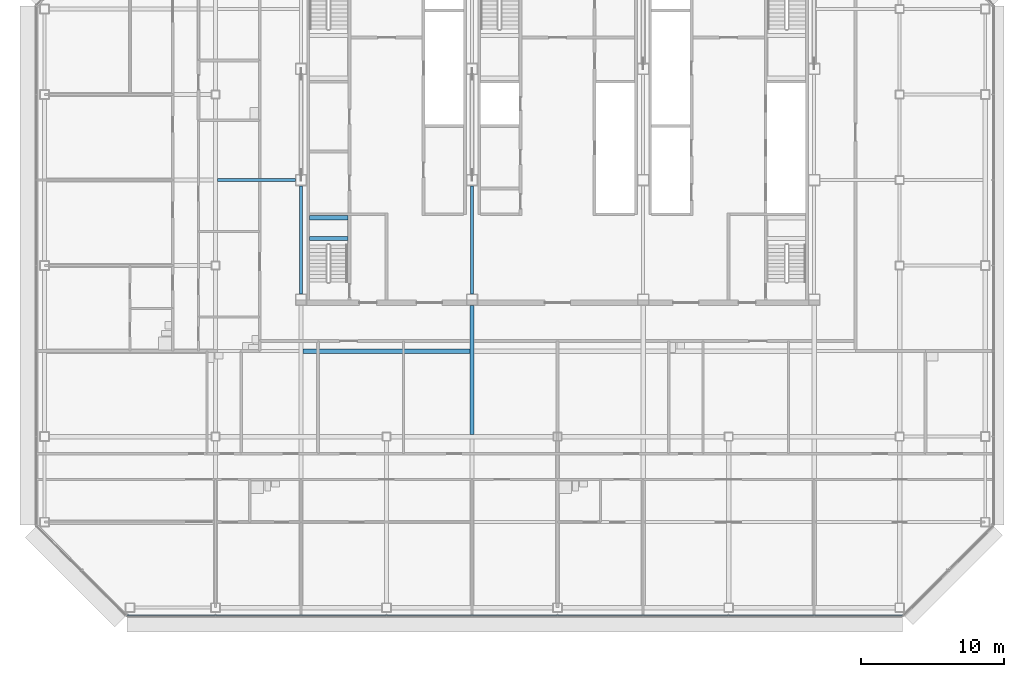
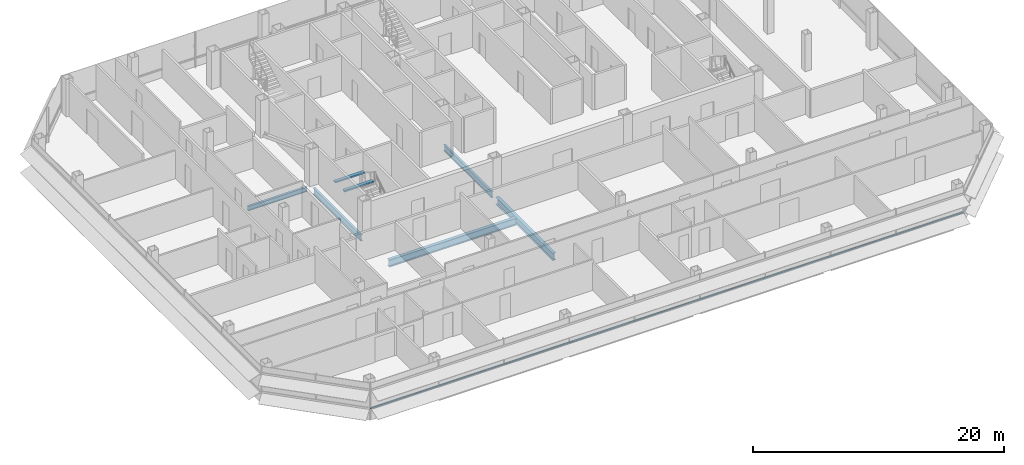
# One storey, part 7 of 26: 7 beams, 1 member, 1 element without a shape of its own.
"""IFC4 building model written with IfcOpenShell, lengths in metres."""

from ifc_helpers import new_model, si_unit, direction, frame, origin, origin_2d, place, context, subcontext, project, spatial, rectangle, i_section, extrude, material, material_profile, profile_set, type_object, element, aggregate, save


model = new_model("IFC4")

# Units and contexts
model_context = context("Model", 3, precision=1e-05, world=origin(), true_north=direction((0.0, 1.0)))
body_context = subcontext(model_context, "Body", "Model", "MODEL_VIEW")
ifc_project = project(units=[si_unit("LENGTHUNIT", "METRE"), si_unit("AREAUNIT", "SQUARE_METRE"), si_unit("VOLUMEUNIT", "CUBIC_METRE"), si_unit("PLANEANGLEUNIT", "RADIAN"), si_unit("MASSUNIT", "GRAM", prefix="KILO")], contexts=[model_context])

# Site, building, storey
site_placement = place(None, origin())
site = spatial("IfcSite", under=ifc_project, at=site_placement, CompositionType="ELEMENT")
building_placement = place(site_placement, origin())
building = spatial("IfcBuilding", under=site, at=building_placement, Name="Sorahane Residences", CompositionType="ELEMENT")
storey_placement = place(building_placement, frame((0.0, 0.0, 219.0)))
storey = spatial("IfcBuildingStorey", under=building, at=storey_placement, Name="L51", CompositionType="ELEMENT", Elevation=219.0)

# Curtain wall, member
ifc_material_1 = material(Name="Dark low-e glass and black anodised aluminium", Category="aluminium")
curtain_wall_type = type_object("IfcCurtainWallType", Name="Curtain wall CW-1 Typical unitised wall", PredefinedType="NOTDEFINED", material=ifc_material_1)
curtain_wall_placement = place(storey_placement, origin())
curtain_wall = element("IfcCurtainWall", 1, at=curtain_wall_placement, inside=storey, type_object=curtain_wall_type, Name="CW-1 curtain wall L51 S1", PredefinedType="NOTDEFINED")
ifc_material_2 = material(Name="Black anodised aluminium", Category="aluminium")
ifc_material_profile_1 = material_profile(ifc_material_2, rectangle(XDim=0.10009765625, YDim=0.06005859375, at=origin_2d()), Name="Curtain wall transom CW-1 black anodised aluminium 60x100")
ifc_profile_set_1 = profile_set([ifc_material_profile_1], Name="Black anodised aluminium")
member_type = type_object("IfcMemberType", Name="Curtain wall transom CW-1 black anodised aluminium 60x100", PredefinedType="USERDEFINED", material=ifc_profile_set_1)
member_placement = place(storey_placement, frame((-6.198486328125, -0.530029296875, 0.89990234375), z_axis=(1.0, 0.0, 0.0), x_axis=(0.0, 1.0, 0.0)))
member = element("IfcMember", 2, at=member_placement, type_object=member_type, Name="CW-1 transom L51 S1", ObjectType="TRANSOM", PredefinedType="USERDEFINED", context=body_context, shape_type="SweptSolid", body=[
    extrude(rectangle(XDim=0.10009765625, YDim=0.06005859375, at=origin_2d()), origin(), (0.0, 0.0, 1.0), 54.39697265625),
])
aggregate(curtain_wall, [member])

# Beams
ifc_material_3 = material(Name="Concrete C40", Category="concrete")
ifc_material_profile_2 = material_profile(ifc_material_3, rectangle(XDim=0.300048828125, YDim=0.139892578125, at=origin_2d()), Name="300x140")
ifc_profile_set_2 = profile_set([ifc_material_profile_2], Name="Concrete C40")
beam_type_1 = type_object("IfcBeamType", Name="RC landing beam 300 x 140 Concrete C40", PredefinedType="BEAM", material=ifc_profile_set_2)
for number, where, z_axis, x_axis, name in (
    (3, (6.60009765625, 25.89990234375, 1.530029296875), (1.0, 0.0, 0.0), (0.0, 1.0, 0.0), "Landing beam"),
    (4, (6.60009765625, 27.35009765625, 1.530029296875), (1.0, 0.0, 0.0), (0.0, 1.0, 0.0), "Landing beam"),
):
    element("IfcBeam", number, at=place(storey_placement, frame(where, z_axis=z_axis, x_axis=x_axis)), inside=storey, type_object=beam_type_1, Name=name, PredefinedType="BEAM", context=body_context, shape_type="SweptSolid", body=[
        extrude(rectangle(XDim=0.300048828125, YDim=0.139892578125, at=origin_2d()), origin(), (0.0, 0.0, 1.0), 2.699951171875),
    ])
ifc_material_4 = material(Name="Steel Q355B", Category="steel")
ifc_material_profile_3 = material_profile(ifc_material_4, i_section(OverallWidth=0.199951171875, OverallDepth=0.449951171875, WebThickness=0.009033203125, FlangeThickness=0.013916015625, FilletRadius=0.02001953125, at=origin_2d()), Name="HN 450x200x9x14")
ifc_profile_set_3 = profile_set([ifc_material_profile_3], Name="Steel Q355B")
beam_type_2 = type_object("IfcBeamType", Name="Steel floor beam HN 450x200x9x14 Q355B", PredefinedType="BEAM", material=ifc_profile_set_3)
beam_1_placement = place(storey_placement, frame((0.14990234375, 30.0, -0.405029296875), z_axis=(1.0, 0.0, 0.0), x_axis=(0.0, 1.0, 0.0)))
element("IfcBeam", 5, at=beam_1_placement, inside=storey, type_object=beam_type_2, Name="Beam L51 086", PredefinedType="BEAM", context=body_context, shape_type="SweptSolid", body=[
    extrude(i_section(OverallWidth=0.199951171875, OverallDepth=0.449951171875, WebThickness=0.009033203125, FlangeThickness=0.013916015625, FilletRadius=0.02001953125, at=origin_2d()), origin(), (0.0, 0.0, 1.0), 5.4501953125),
])
ifc_material_5 = material(Name="Steel Q355B", Category="steel")
ifc_material_profile_4 = material_profile(ifc_material_5, i_section(OverallWidth=0.199951171875, OverallDepth=0.60009765625, WebThickness=0.010986328125, FlangeThickness=0.01708984375, FilletRadius=0.02392578125, at=origin_2d()), Name="HN 600x200x11x17")
ifc_profile_set_4 = profile_set([ifc_material_profile_4], Name="Steel Q355B")
beam_type_3 = type_object("IfcBeamType", Name="Steel floor beam HN 600x200x11x17 Q355B", PredefinedType="BEAM", material=ifc_profile_set_4)
for number, where, z_axis, x_axis, name in (
    (6, (6.0, 22.0, -0.47998046875), (0.0, 1.0, 0.0), (-1.0, 0.0, 0.0), "Beam L51 030"),
    (7, (18.0, 22.0, -0.47998046875), (0.0, 1.0, 0.0), (-1.0, 0.0, 0.0), "Beam L51 038"),
):
    element("IfcBeam", number, at=place(storey_placement, frame(where, z_axis=z_axis, x_axis=x_axis)), inside=storey, type_object=beam_type_3, Name=name, PredefinedType="BEAM", context=body_context, shape_type="SweptSolid", body=[
        extrude(i_section(OverallWidth=0.199951171875, OverallDepth=0.60009765625, WebThickness=0.010986328125, FlangeThickness=0.01708984375, FilletRadius=0.02392578125, at=origin_2d()), origin(), (0.0, 0.0, 1.0), 7.60009765625),
    ])
ifc_material_6 = material(Name="Steel Q355B", Category="steel")
ifc_material_profile_5 = material_profile(ifc_material_6, i_section(OverallWidth=0.300048828125, OverallDepth=0.699951171875, WebThickness=0.012939453125, FlangeThickness=0.02392578125, FilletRadius=0.028076171875, at=origin_2d()), Name="HN 700x300x13x24")
ifc_profile_set_5 = profile_set([ifc_material_profile_5], Name="Steel Q355B")
beam_type_4 = type_object("IfcBeamType", Name="Steel floor beam HN 700x300x13x24 Q355B", PredefinedType="BEAM", material=ifc_profile_set_5)
beam_2_placement = place(storey_placement, frame((18.0, 12.14990234375, -0.530029296875), z_axis=(0.0, 1.0, 0.0), x_axis=(-1.0, 0.0, 0.0)))
element("IfcBeam", 8, at=beam_2_placement, inside=storey, type_object=beam_type_4, Name="Beam L51 037", PredefinedType="BEAM", context=body_context, shape_type="SweptSolid", body=[
    extrude(i_section(OverallWidth=0.300048828125, OverallDepth=0.699951171875, WebThickness=0.012939453125, FlangeThickness=0.02392578125, FilletRadius=0.028076171875, at=origin_2d()), origin(), (0.0, 0.0, 1.0), 9.050048828125),
])
beam_3_placement = place(storey_placement, frame((6.14990234375, 18.0, -0.530029296875), z_axis=(1.0, 0.0, 0.0), x_axis=(0.0, 1.0, 0.0)))
element("IfcBeam", 9, at=beam_3_placement, inside=storey, type_object=beam_type_4, Name="Beam L51 080", PredefinedType="BEAM", context=body_context, shape_type="SweptSolid", body=[
    extrude(i_section(OverallWidth=0.300048828125, OverallDepth=0.699951171875, WebThickness=0.012939453125, FlangeThickness=0.02392578125, FilletRadius=0.028076171875, at=origin_2d()), origin(), (0.0, 0.0, 1.0), 11.7001953125),
])

save(model, "model.ifc")
